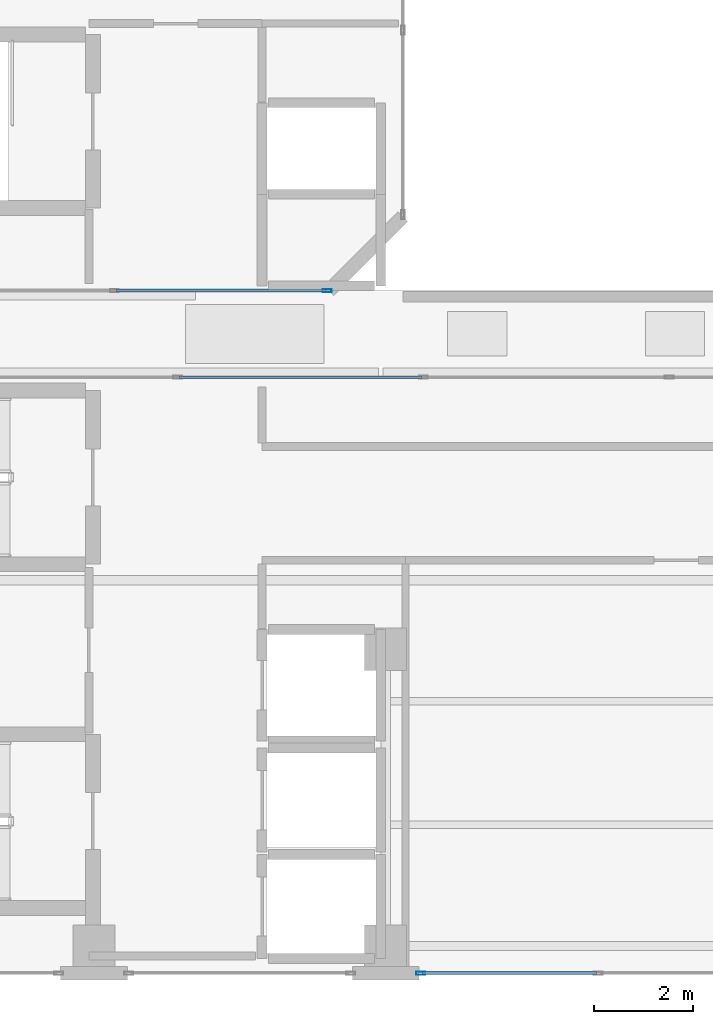
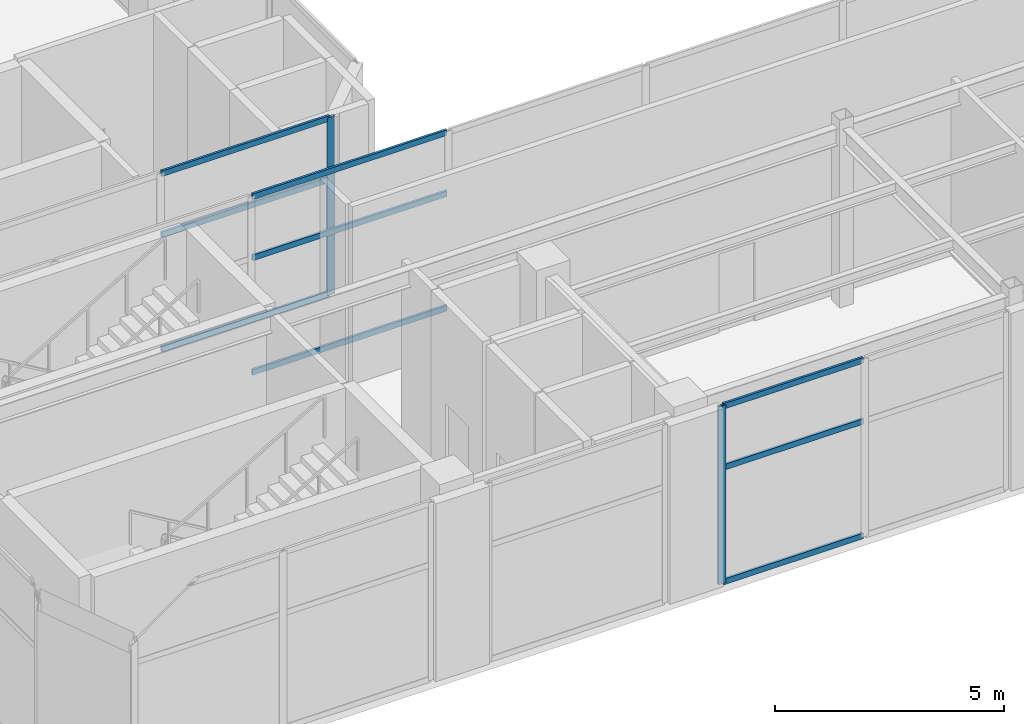
# One storey, part 6 of 18: 11 members, 3 elements without a shape of their own.
"""IFC4 building model written with IfcOpenShell, lengths in metres."""

from ifc_helpers import new_model, si_unit, direction, frame, origin, origin_2d, place, context, subcontext, project, spatial, hollow_rectangle, extrude, material, layer, layer_set, material_profile, profile_set, type_object, element, aggregate, save


model = new_model("IFC4")

# Units and contexts
model_context = context("Model", 3, precision=1e-05, world=origin(), true_north=direction((0.0, 1.0)))
body_context = subcontext(model_context, "Body", "Model", "MODEL_VIEW")
ifc_project = project(units=[si_unit("LENGTHUNIT", "METRE"), si_unit("AREAUNIT", "SQUARE_METRE"), si_unit("VOLUMEUNIT", "CUBIC_METRE"), si_unit("PLANEANGLEUNIT", "RADIAN"), si_unit("MASSUNIT", "GRAM", prefix="KILO")], contexts=[model_context])

# Site, building, storey
site_placement = place(None, origin())
site = spatial("IfcSite", under=ifc_project, at=site_placement, CompositionType="ELEMENT")
building_placement = place(site_placement, origin())
building = spatial("IfcBuilding", under=site, at=building_placement, Name="Mawjaban Terraces University", CompositionType="ELEMENT")
storey_placement = place(building_placement, frame((0.0, 0.0, 316.699951171875)))
storey = spatial("IfcBuildingStorey", under=building, at=storey_placement, Name="L77", CompositionType="ELEMENT", Elevation=316.699951171875)

# Curtain wall, member
ifc_material_1 = material(Name="Anodised aluminium 6063-T6 and solar-control low-E glass", Category="aluminium")
ifc_layer = layer(ifc_material_1, 0.199951171875)
ifc_layer_set = layer_set([ifc_layer], Name="Anodised aluminium 6063-T6 and solar-control low-E glass")
curtain_wall_type = type_object("IfcCurtainWallType", Name="CWSystem_06_ObservationCrown", PredefinedType="NOTDEFINED", material=ifc_layer_set)
curtain_wall_1_placement = place(storey_placement, origin())
curtain_wall_1 = element("IfcCurtainWall", 1, at=curtain_wall_1_placement, inside=storey, type_object=curtain_wall_type, Name="L77 Curtain Wall CW-06 Run 1.3", PredefinedType="NOTDEFINED")
ifc_material_2 = material(Name="Anodised aluminium 6063-T6", Category="aluminium")
ifc_material_profile_1 = material_profile(ifc_material_2, hollow_rectangle(XDim=0.06494140625, YDim=0.179931640625, WallThickness=0.00390625, at=origin_2d()), Name="ALU180X65X4")
ifc_profile_set_1 = profile_set([ifc_material_profile_1], Name="Anodised aluminium 6063-T6")
member_type_1 = type_object("IfcMemberType", Name="Mullion_CW-06", PredefinedType="MULLION", material=ifc_profile_set_1)
member_1_placement = place(storey_placement, frame((38.357421875, 0.0, 0.0), z_axis=(0.0, 0.0, 1.0), x_axis=(0.0, 1.0, 0.0)))
member_1 = element("IfcMember", 2, at=member_1_placement, type_object=member_type_1, Name="CW-06 mullion 1", PredefinedType="MULLION", context=body_context, shape_type="SweptSolid", body=[
    extrude(hollow_rectangle(XDim=0.06494140625, YDim=0.179931640625, WallThickness=0.00390625, at=origin_2d()), origin(), (0.0, 0.0, 1.0), 4.739990234375),
])

curtain_wall_2_placement = place(storey_placement, origin())
curtain_wall_2 = element("IfcCurtainWall", 3, at=curtain_wall_2_placement, inside=storey, type_object=curtain_wall_type, Name="L77 Curtain Wall CW-06 Run 1.1", PredefinedType="NOTDEFINED")
member_2_placement = place(storey_placement, frame((36.467529296875, 13.800048828125, 0.0), z_axis=(0.0, 0.0, 1.0), x_axis=(0.0, 1.0, 0.0)))
member_2 = element("IfcMember", 4, at=member_2_placement, type_object=member_type_1, Name="CW-06 mullion 4", PredefinedType="MULLION", context=body_context, shape_type="SweptSolid", body=[
    extrude(hollow_rectangle(XDim=0.06494140625, YDim=0.179931640625, WallThickness=0.00390625, at=origin_2d()), origin(), (0.0, 0.0, 1.0), 4.739990234375),
])

# Member
ifc_material_profile_2 = material_profile(ifc_material_2, hollow_rectangle(XDim=0.06005859375, YDim=0.14990234375, WallThickness=0.00390625, at=origin_2d()), Name="ALU150X60X4")
ifc_profile_set_2 = profile_set([ifc_material_profile_2], Name="Anodised aluminium 6063-T6")
member_type_2 = type_object("IfcMemberType", Name="Transom_CW-06", PredefinedType="NOTDEFINED", material=ifc_profile_set_2)
member_3_placement = place(storey_placement, frame((38.389892578125, 0.0, 0.030029296875), z_axis=(1.0, 0.0, 0.0), x_axis=(0.0, 1.0, 0.0)))
member_3 = element("IfcMember", 5, at=member_3_placement, type_object=member_type_2, Name="CW-06 transom 1.1", ObjectType="TRANSOM", PredefinedType="USERDEFINED", context=body_context, shape_type="SweptSolid", body=[
    extrude(hollow_rectangle(XDim=0.06005859375, YDim=0.14990234375, WallThickness=0.00390625, at=origin_2d()), origin(), (0.0, 0.0, 1.0), 3.527587890625),
])

member_4_placement = place(storey_placement, frame((38.389892578125, 0.0, 3.0810546875), z_axis=(1.0, 0.0, 0.0), x_axis=(0.0, 1.0, 0.0)))
member_4 = element("IfcMember", 6, at=member_4_placement, type_object=member_type_2, Name="CW-06 transom 1.2", ObjectType="TRANSOM", PredefinedType="USERDEFINED", context=body_context, shape_type="SweptSolid", body=[
    extrude(hollow_rectangle(XDim=0.06005859375, YDim=0.14990234375, WallThickness=0.00390625, at=origin_2d()), origin(), (0.0, 0.0, 1.0), 3.527587890625),
])

member_5_placement = place(storey_placement, frame((38.389892578125, 0.0, 4.7099609375), z_axis=(1.0, 0.0, 0.0), x_axis=(0.0, 1.0, 0.0)))
member_5 = element("IfcMember", 7, at=member_5_placement, type_object=member_type_2, Name="CW-06 transom 1.3", ObjectType="TRANSOM", PredefinedType="USERDEFINED", context=body_context, shape_type="SweptSolid", body=[
    extrude(hollow_rectangle(XDim=0.06005859375, YDim=0.14990234375, WallThickness=0.00390625, at=origin_2d()), origin(), (0.0, 0.0, 1.0), 3.527587890625),
])

aggregate(curtain_wall_1, [member_1, member_3, member_4, member_5])

# Curtain wall, members
curtain_wall_3_placement = place(storey_placement, origin())
curtain_wall_3 = element("IfcCurtainWall", 8, at=curtain_wall_3_placement, inside=storey, type_object=curtain_wall_type, Name="L77 Curtain Wall CW-06 Run 5.1", PredefinedType="NOTDEFINED")
member_6_placement = place(storey_placement, frame((38.3818359375, 12.050048828125, 0.030029296875), z_axis=(-1.0, 0.0, 0.0), x_axis=(0.0, -1.0, 0.0)))
member_6 = element("IfcMember", 9, at=member_6_placement, type_object=member_type_2, Name="CW-06 transom 5.1", ObjectType="TRANSOM", PredefinedType="USERDEFINED", context=body_context, shape_type="SweptSolid", body=[
    extrude(hollow_rectangle(XDim=0.06005859375, YDim=0.14990234375, WallThickness=0.00390625, at=origin_2d()), origin(), (0.0, 0.0, 1.0), 4.906494140625),
])
member_7_placement = place(storey_placement, frame((38.3818359375, 12.050048828125, 3.0810546875), z_axis=(-1.0, 0.0, 0.0), x_axis=(0.0, -1.0, 0.0)))
member_7 = element("IfcMember", 10, at=member_7_placement, type_object=member_type_2, Name="CW-06 transom 5.2", ObjectType="TRANSOM", PredefinedType="USERDEFINED", context=body_context, shape_type="SweptSolid", body=[
    extrude(hollow_rectangle(XDim=0.06005859375, YDim=0.14990234375, WallThickness=0.00390625, at=origin_2d()), origin(), (0.0, 0.0, 1.0), 4.906494140625),
])
member_8_placement = place(storey_placement, frame((38.3818359375, 12.050048828125, 4.7099609375), z_axis=(-1.0, 0.0, 0.0), x_axis=(0.0, -1.0, 0.0)))
member_8 = element("IfcMember", 11, at=member_8_placement, type_object=member_type_2, Name="CW-06 transom 5.3", ObjectType="TRANSOM", PredefinedType="USERDEFINED", context=body_context, shape_type="SweptSolid", body=[
    extrude(hollow_rectangle(XDim=0.06005859375, YDim=0.14990234375, WallThickness=0.00390625, at=origin_2d()), origin(), (0.0, 0.0, 1.0), 4.906494140625),
])
aggregate(curtain_wall_3, [member_6, member_7, member_8])

# Member
member_9_placement = place(storey_placement, frame((32.19921875, 13.800048828125, 0.030029296875), z_axis=(1.0, 0.0, 0.0), x_axis=(0.0, 1.0, 0.0)))
member_9 = element("IfcMember", 12, at=member_9_placement, type_object=member_type_2, Name="CW-06 transom 3.1", ObjectType="TRANSOM", PredefinedType="USERDEFINED", context=body_context, shape_type="SweptSolid", body=[
    extrude(hollow_rectangle(XDim=0.06005859375, YDim=0.14990234375, WallThickness=0.00390625, at=origin_2d()), origin(), (0.0, 0.0, 1.0), 4.23583984375),
])

member_10_placement = place(storey_placement, frame((32.19921875, 13.800048828125, 3.0810546875), z_axis=(1.0, 0.0, 0.0), x_axis=(0.0, 1.0, 0.0)))
member_10 = element("IfcMember", 13, at=member_10_placement, type_object=member_type_2, Name="CW-06 transom 3.2", ObjectType="TRANSOM", PredefinedType="USERDEFINED", context=body_context, shape_type="SweptSolid", body=[
    extrude(hollow_rectangle(XDim=0.06005859375, YDim=0.14990234375, WallThickness=0.00390625, at=origin_2d()), origin(), (0.0, 0.0, 1.0), 4.23583984375),
])

member_11_placement = place(storey_placement, frame((32.19921875, 13.800048828125, 4.7099609375), z_axis=(1.0, 0.0, 0.0), x_axis=(0.0, 1.0, 0.0)))
member_11 = element("IfcMember", 14, at=member_11_placement, type_object=member_type_2, Name="CW-06 transom 3.3", ObjectType="TRANSOM", PredefinedType="USERDEFINED", context=body_context, shape_type="SweptSolid", body=[
    extrude(hollow_rectangle(XDim=0.06005859375, YDim=0.14990234375, WallThickness=0.00390625, at=origin_2d()), origin(), (0.0, 0.0, 1.0), 4.23583984375),
])

aggregate(curtain_wall_2, [member_2, member_9, member_10, member_11])

save(model, "model.ifc")
